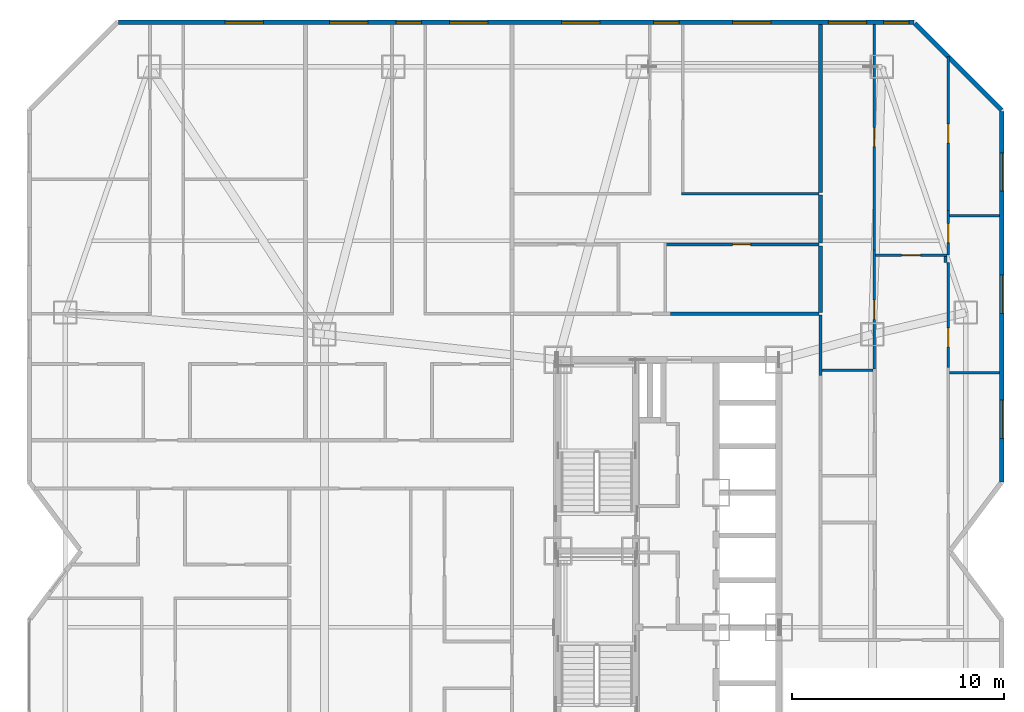
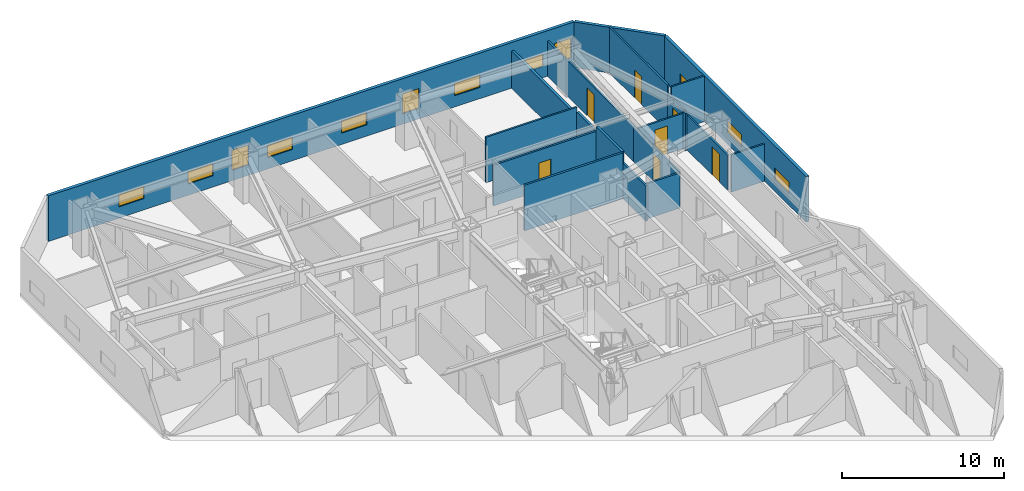
# One storey, part 16 of 18: 20 walls, 12 windows, 7 doors, 19 openings.
"""IFC4 building model written with IfcOpenShell, lengths in metres."""

import ifcopenshell
import ifcopenshell.guid

model = None  # the IFC model being written
_history = None  # IfcOwnerHistory: only IFC2X3 demands one
_inside = {}  # id of a spatial element -> (the spatial element, [elements in it])
_under = {}  # id of a project, library or spatial element -> (it, [spatial elements below it])
_declared = {}  # id of a project -> (the project, [libraries it declares])
_typed = {}  # id of a type object -> (the type object, [elements of that type])
_made_of = {}  # id of a material, layer set ... -> (it, [elements and type objects made of it])


def new_model(schema):
    """Start an empty IFC model of exactly this schema.

    Asked for "IFC4X3", IfcOpenShell would pick the latest addendum, in which some entities
    have other attributes; the version numbers below select the first issue.
    IFC2X3 requires an IfcOwnerHistory on every rooted entity: one is made here for all.
    """
    global model, _history
    if schema == "IFC4X3":
        model = ifcopenshell.file(schema_version=(4, 3, 0, 0))
    else:
        model = ifcopenshell.file(schema=schema)
    _inside.clear()
    _under.clear()
    _declared.clear()
    _typed.clear()
    _made_of.clear()
    _history = None
    if model.schema == "IFC2X3":
        org = make("IfcOrganization", Name="unknown")
        user = make(
            "IfcPersonAndOrganization",
            ThePerson=make("IfcPerson", FamilyName="unknown"),
            TheOrganization=org,
        )
        app = make(
            "IfcApplication",
            ApplicationDeveloper=org,
            Version="unknown",
            ApplicationFullName="unknown",
            ApplicationIdentifier="unknown",
        )
        _history = make(
            "IfcOwnerHistory",
            OwningUser=user,
            OwningApplication=app,
            ChangeAction="ADDED",
            CreationDate=0,
        )
    return model


def make(cls, **values):
    """One entity of the class cls with the attributes given. An attribute that is None is left unset."""
    return model.create_entity(
        cls, **{name: value for name, value in values.items() if value is not None}
    )


def rooted(cls, **values):
    """An entity with a GlobalId (a new one), such as an element, a storey or a relation."""
    return make(cls, GlobalId=ifcopenshell.guid.new(), OwnerHistory=_history, **values)


def si_unit(unit_type, name, prefix=None):
    """IfcSIUnit, for example si_unit("LENGTHUNIT", "METRE", prefix="MILLI")."""
    return make("IfcSIUnit", UnitType=unit_type, Prefix=prefix, Name=name)


def assignment(units):
    """IfcUnitAssignment: the units of a project."""
    return None if units is None else make("IfcUnitAssignment", Units=units)


def point(xyz):
    """IfcCartesianPoint."""
    return None if xyz is None else make("IfcCartesianPoint", Coordinates=xyz)


def direction(xyz):
    """IfcDirection."""
    return None if xyz is None else make("IfcDirection", DirectionRatios=xyz)


def frame(location, z_axis=None, x_axis=None):
    """IfcAxis2Placement3D, a coordinate frame: its origin and axes. An axis left out is left unset."""
    return make(
        "IfcAxis2Placement3D",
        Location=point(location),
        Axis=direction(z_axis),
        RefDirection=direction(x_axis),
    )


def frame_2d(location, x_axis=None):
    """IfcAxis2Placement2D, a coordinate frame in the plane: its origin and x axis."""
    return make(
        "IfcAxis2Placement2D", Location=point(location), RefDirection=direction(x_axis)
    )


def origin():
    """The frame at (0, 0, 0) with its axes left unset."""
    return frame((0.0, 0.0, 0.0))


def place(relative_to, where):
    """IfcLocalPlacement: puts the frame where relative to a parent placement (None: the world)."""
    return make(
        "IfcLocalPlacement", PlacementRelTo=relative_to, RelativePlacement=where
    )


def context(
    kind, dimensions, precision=None, world=None, true_north=None, identifier=None
):
    """IfcGeometricRepresentationContext, for example the 3D "Model" context."""
    return make(
        "IfcGeometricRepresentationContext",
        ContextIdentifier=identifier,
        ContextType=kind,
        CoordinateSpaceDimension=dimensions,
        Precision=precision,
        WorldCoordinateSystem=world,
        TrueNorth=true_north,
    )


def subcontext(parent, identifier, kind, view, scale=None):
    """IfcGeometricRepresentationSubContext, for example "Body" below "Model"."""
    return make(
        "IfcGeometricRepresentationSubContext",
        ContextIdentifier=identifier,
        ContextType=kind,
        ParentContext=parent,
        TargetScale=scale,
        TargetView=view,
    )


def project(units=None, contexts=None):
    """IfcProject with its units and contexts."""
    return rooted(
        "IfcProject",
        Name="project",
        RepresentationContexts=contexts,
        UnitsInContext=assignment(units),
    )


def spatial(cls, under=None, at=None, **own):
    """A site, building, storey or space (cls), placed at a placement, below another one or the project."""
    s = rooted(cls, ObjectPlacement=at, **own)
    if under is not None:
        _under.setdefault(under.id(), (under, []))[1].append(s)
    return s


def profile(cls, at=None, kind="AREA", **sizes):
    """A parametric profile (cls). Its sizes go by their IFC names, for example OverallWidth=200.0."""
    return make(cls, ProfileType=kind, Position=at, **sizes)


def rectangle(**sizes):
    """IfcRectangleProfileDef."""
    return profile("IfcRectangleProfileDef", **sizes)


def extrude(swept, where, along, depth):
    """IfcExtrudedAreaSolid: the profile swept, set in the frame where, extruded along a direction by depth."""
    return make(
        "IfcExtrudedAreaSolid",
        SweptArea=swept,
        Position=where,
        ExtrudedDirection=direction(along),
        Depth=depth,
    )


def shape(context_of_items, identifier, shape_type, items):
    """IfcShapeRepresentation: the items that make up one representation, for example the "Body"."""
    return make(
        "IfcShapeRepresentation",
        ContextOfItems=context_of_items,
        RepresentationIdentifier=identifier,
        RepresentationType=shape_type,
        Items=items,
    )


def material(Name=None, Category=None):
    """IfcMaterial."""
    return make("IfcMaterial", Name=Name, Category=Category)


def layer(
    of_material, thickness, ventilated=None, Name=None, Category=None, Priority=None
):
    """IfcMaterialLayer: one layer of a wall or slab, of a material (None: an air gap)."""
    return make(
        "IfcMaterialLayer",
        Material=of_material,
        LayerThickness=thickness,
        IsVentilated=ventilated,
        Name=Name,
        Category=Category,
        Priority=Priority,
    )


def layer_set(layers, Name=None):
    """IfcMaterialLayerSet."""
    return make("IfcMaterialLayerSet", MaterialLayers=layers, LayerSetName=Name)


def made_of(thing, what):
    """Note that an element or type object is made of a material, layer set ...; save() writes the relation."""
    if what is not None:
        _made_of.setdefault(what.id(), (what, []))[1].append(thing)
    return thing


def type_object(cls, material=None, **own):
    """A type object (cls), such as IfcWallType, which elements share."""
    return made_of(rooted(cls, **own), material)


def element(
    cls,
    number,
    at=None,
    inside=None,
    cuts=None,
    type_object=None,
    material=None,
    context=None,
    identifier="Body",
    shape_type=None,
    held_by="IfcProductDefinitionShape",
    body=None,
    shapes=None,
    **own,
):
    """One element of the class cls, such as IfcWall. Its Tag is "e" and its number.

    at: its placement. inside: the storey or other place that contains it. cuts: it is an
    opening in that element (IfcRelVoidsElement). A single representation is given by context,
    identifier, shape_type and body (its items); several are given by shapes. held_by: the class
    of the entity that holds the representations. save() writes the other relations.
    """
    e = rooted(cls, Tag="e%d" % number, ObjectPlacement=at, **own)
    if body is not None:
        shapes = [shape(context, identifier, shape_type, body)]
    if shapes is not None:
        e.Representation = make(held_by, Representations=shapes)
    if inside is not None:
        _inside.setdefault(inside.id(), (inside, []))[1].append(e)
    if cuts is not None:
        rooted(
            "IfcRelVoidsElement", RelatingBuildingElement=cuts, RelatedOpeningElement=e
        )
    if type_object is not None:
        _typed.setdefault(type_object.id(), (type_object, []))[1].append(e)
    return made_of(e, material)


def fill(opening, filler):
    """IfcRelFillsElement: the door or window that sits in an opening."""
    return rooted(
        "IfcRelFillsElement",
        RelatingOpeningElement=opening,
        RelatedBuildingElement=filler,
    )


def aggregate(whole, parts):
    """IfcRelAggregates: a whole, such as a stair, and the parts it consists of."""
    return rooted("IfcRelAggregates", RelatingObject=whole, RelatedObjects=parts)


def save(model, path):
    """Write the relations noted so far, then the file.

    IfcRelAggregates (storeys below a building ...), IfcRelContainedInSpatialStructure (elements
    in a storey), IfcRelDefinesByType, IfcRelAssociatesMaterial and IfcRelDeclares: one each for
    every whole, place, type object, material and project.
    """
    for whole, parts in _under.values():
        aggregate(whole, parts)
    for where, things in _inside.values():
        rooted(
            "IfcRelContainedInSpatialStructure",
            RelatedElements=things,
            RelatingStructure=where,
        )
    for kind, things in _typed.values():
        rooted("IfcRelDefinesByType", RelatedObjects=things, RelatingType=kind)
    for what, things in _made_of.values():
        rooted("IfcRelAssociatesMaterial", RelatedObjects=things, RelatingMaterial=what)
    for by, libraries in _declared.values():
        rooted("IfcRelDeclares", RelatingContext=by, RelatedDefinitions=libraries)
    model.write(path)


model = new_model("IFC4")

# Units and contexts
model_context = context("Model", 3, precision=1e-05, world=origin(), true_north=direction((0.0, 1.0)))
body_context = subcontext(model_context, "Body", "Model", "MODEL_VIEW")
ifc_project = project(units=[si_unit("LENGTHUNIT", "METRE"), si_unit("AREAUNIT", "SQUARE_METRE"), si_unit("VOLUMEUNIT", "CUBIC_METRE"), si_unit("PLANEANGLEUNIT", "RADIAN"), si_unit("MASSUNIT", "GRAM", prefix="KILO")], contexts=[model_context])

# Site, building, storey
site_placement = place(None, origin())
site = spatial("IfcSite", under=ifc_project, at=site_placement, CompositionType="ELEMENT")
building_placement = place(site_placement, origin())
building = spatial("IfcBuilding", under=site, at=building_placement, Name="Khamvora Tower", CompositionType="ELEMENT")
storey_placement = place(building_placement, frame((0.0, 0.0, 47.89990234375)))
storey = spatial("IfcBuildingStorey", under=building, at=storey_placement, Name="L11", CompositionType="ELEMENT", Elevation=47.89990234375)

# Walls
ifc_material_1 = material(Name="Fire-Rated Drywall and Steel Stud", Category="steel")
ifc_layer_1 = layer(ifc_material_1, 0.14990234375)
ifc_layer_set_1 = layer_set([ifc_layer_1], Name="Fire-Rated Drywall and Steel Stud")
wall_type_1 = type_object("IfcWallType", Name="WAL-CORR-150", PredefinedType="STANDARD", material=ifc_layer_set_1)
wall_1_placement = place(storey_placement, frame((34.299072265625, 39.1650390625, 0.0), z_axis=(0.0, 0.0, 1.0), x_axis=(1.0, 0.0, 0.0)))
element("IfcWall", 1, at=wall_1_placement, inside=storey, type_object=wall_type_1, Name="L11 interior partition wall 029", PredefinedType="STANDARD", context=body_context, shape_type="SweptSolid", body=[
    extrude(rectangle(XDim=7.0009765625, YDim=0.14990234375, at=frame_2d((3.50048828125, 0.0))), origin(), (0.0, 0.0, 1.0), 3.43017578125),
])
wall_2_placement = place(storey_placement, frame((41.364990234375, 39.10009765625, 0.0), z_axis=(0.0, 0.0, 1.0), x_axis=(0.0, -1.0, 0.0)))
element("IfcWall", 2, at=wall_2_placement, inside=storey, type_object=wall_type_1, Name="L11 interior partition wall 035", PredefinedType="STANDARD", context=body_context, shape_type="SweptSolid", body=[
    extrude(rectangle(XDim=2.843017578125, YDim=0.14990234375, at=frame_2d((1.42138671875, 0.0))), origin(), (0.0, 0.0, 1.0), 2.647216796875),
])
ifc_material_2 = material(Name="Acoustic Double-Stud Fire Wall", Category="gypsum")
ifc_layer_2 = layer(ifc_material_2, 0.179931640625)
ifc_layer_set_2 = layer_set([ifc_layer_2], Name="Acoustic Double-Stud Fire Wall")
wall_type_2 = type_object("IfcWallType", Name="WAL-CORR-180", PredefinedType="STANDARD", material=ifc_layer_set_2)
wall_3_placement = place(storey_placement, frame((41.364990234375, 44.7490234375, 0.0), z_axis=(0.0, 0.0, 1.0), x_axis=(0.0, -1.0, 0.0)))
element("IfcWall", 3, at=wall_3_placement, inside=storey, type_object=wall_type_2, Name="L11 interior partition wall 124", PredefinedType="STANDARD", context=body_context, shape_type="SweptSolid", body=[
    extrude(rectangle(XDim=2.25, YDim=0.179931640625, at=frame_2d((1.125, 0.0))), origin(), (0.0, 0.0, 1.0), 3.065185546875),
])
wall_4_placement = place(storey_placement, frame((41.364990234375, 42.368896484375, 0.0), z_axis=(0.0, 0.0, 1.0), x_axis=(0.0, -1.0, 0.0)))
element("IfcWall", 4, at=wall_4_placement, inside=storey, type_object=wall_type_2, Name="L11 interior partition wall 125", PredefinedType="STANDARD", context=body_context, shape_type="SweptSolid", body=[
    extrude(rectangle(XDim=3.138916015625, YDim=0.179931640625, at=frame_2d((1.5693359375, 0.0))), origin(), (0.0, 0.0, 1.0), 3.43017578125),
])
wall_5_placement = place(storey_placement, frame((41.364990234375, 52.7880859375, 0.0), z_axis=(0.0, 0.0, 1.0), x_axis=(0.0, -1.0, 0.0)))
element("IfcWall", 5, at=wall_5_placement, inside=storey, type_object=wall_type_2, Name="L11 interior partition wall 126", PredefinedType="STANDARD", context=body_context, shape_type="SweptSolid", body=[
    extrude(rectangle(XDim=7.9091796875, YDim=0.179931640625, at=frame_2d((3.95458984375, 0.0))), origin(), (0.0, 0.0, 1.0), 2.802978515625),
])

# Wall, openings, windows
ifc_material_3 = material(Name="Precast concrete C40/50", Category="concrete")
ifc_layer_3 = layer(ifc_material_3, 0.219970703125)
ifc_layer_set_3 = layer_set([ifc_layer_3], Name="Precast concrete C40/50")
wall_type_3 = type_object("IfcWallType", Name="WAL-EXT-220", PredefinedType="STANDARD", material=ifc_layer_set_3)
wall_6_placement = place(storey_placement, frame((8.31494140625, 52.889892578125, 0.0), z_axis=(0.0, 0.0, 1.0), x_axis=(1.0, 0.0, 0.0)))
wall_6 = element("IfcWall", 6, at=wall_6_placement, inside=storey, type_object=wall_type_3, Name="L11 exterior facade wall 07.1", PredefinedType="STANDARD", context=body_context, shape_type="SweptSolid", body=[
    extrude(rectangle(XDim=37.43896484375, YDim=0.219970703125, at=frame_2d((18.719482421875, 0.0))), origin(), (0.0, 0.0, 1.0), 3.43017578125),
])
opening_1_placement = place(wall_6_placement, frame((5.01806640625, 0.0, 0.85009765625)))
opening_1 = element("IfcOpeningElement", 7, at=opening_1_placement, cuts=wall_6, Name="Opening WN-09", PredefinedType="OPENING", context=body_context, shape_type="SweptSolid", body=[
    extrude(rectangle(XDim=1.800048828125, YDim=0.919921875, at=frame_2d((0.89990234375, 0.4599609375))), frame((0.0, 0.119873046875, 0.0), z_axis=(0.0, -1.0, 0.0), x_axis=(1.0, 0.0, 0.0)), (0.0, 0.0, 1.0), 0.239990234375),
])
opening_2_placement = place(wall_6_placement, frame((13.054931640625, 0.0, 0.780029296875)))
opening_2 = element("IfcOpeningElement", 8, at=opening_2_placement, cuts=wall_6, Name="Opening WN-03", PredefinedType="OPENING", context=body_context, shape_type="SweptSolid", body=[
    extrude(rectangle(XDim=1.199951171875, YDim=1.5, at=frame_2d((0.60009765625, 0.75))), frame((0.0, 0.119873046875, 0.0), z_axis=(0.0, -1.0, 0.0), x_axis=(1.0, 0.0, 0.0)), (0.0, 0.0, 1.0), 0.239990234375),
])
opening_3_placement = place(wall_6_placement, frame((9.929931640625, 0.0, 0.85009765625)))
opening_3 = element("IfcOpeningElement", 9, at=opening_3_placement, cuts=wall_6, Name="Opening WN-09", PredefinedType="OPENING", context=body_context, shape_type="SweptSolid", body=[
    extrude(rectangle(XDim=1.800048828125, YDim=0.919921875, at=frame_2d((0.89990234375, 0.4599609375))), frame((0.0, 0.119873046875, 0.0), z_axis=(0.0, -1.0, 0.0), x_axis=(1.0, 0.0, 0.0)), (0.0, 0.0, 1.0), 0.239990234375),
])
opening_4_placement = place(wall_6_placement, frame((15.580078125, 0.0, 0.85009765625)))
opening_4 = element("IfcOpeningElement", 10, at=opening_4_placement, cuts=wall_6, Name="Opening WN-09", PredefinedType="OPENING", context=body_context, shape_type="SweptSolid", body=[
    extrude(rectangle(XDim=1.800048828125, YDim=0.919921875, at=frame_2d((0.89990234375, 0.4599609375))), frame((0.0, 0.119873046875, 0.0), z_axis=(0.0, -1.0, 0.0), x_axis=(1.0, 0.0, 0.0)), (0.0, 0.0, 1.0), 0.239990234375),
])
opening_5_placement = place(wall_6_placement, frame((25.18505859375, 0.0, 0.780029296875)))
opening_5 = element("IfcOpeningElement", 11, at=opening_5_placement, cuts=wall_6, Name="Opening WN-03", PredefinedType="OPENING", context=body_context, shape_type="SweptSolid", body=[
    extrude(rectangle(XDim=1.199951171875, YDim=1.5, at=frame_2d((0.60009765625, 0.75))), frame((0.0, 0.119873046875, 0.0), z_axis=(0.0, -1.0, 0.0), x_axis=(1.0, 0.0, 0.0)), (0.0, 0.0, 1.0), 0.239990234375),
])
opening_6_placement = place(wall_6_placement, frame((20.860107421875, 0.0, 0.85009765625)))
opening_6 = element("IfcOpeningElement", 12, at=opening_6_placement, cuts=wall_6, Name="Opening WN-09", PredefinedType="OPENING", context=body_context, shape_type="SweptSolid", body=[
    extrude(rectangle(XDim=1.800048828125, YDim=0.919921875, at=frame_2d((0.89990234375, 0.4599609375))), frame((0.0, 0.119873046875, 0.0), z_axis=(0.0, -1.0, 0.0), x_axis=(1.0, 0.0, 0.0)), (0.0, 0.0, 1.0), 0.239990234375),
])
opening_7_placement = place(wall_6_placement, frame((28.909912109375, 0.0, 0.85009765625)))
opening_7 = element("IfcOpeningElement", 13, at=opening_7_placement, cuts=wall_6, Name="Opening WN-09", PredefinedType="OPENING", context=body_context, shape_type="SweptSolid", body=[
    extrude(rectangle(XDim=1.800048828125, YDim=0.919921875, at=frame_2d((0.89990234375, 0.4599609375))), frame((0.0, 0.119873046875, 0.0), z_axis=(0.0, -1.0, 0.0), x_axis=(1.0, 0.0, 0.0)), (0.0, 0.0, 1.0), 0.239990234375),
])
opening_8_placement = place(wall_6_placement, frame((33.4150390625, 0.0, 0.85009765625)))
opening_8 = element("IfcOpeningElement", 14, at=opening_8_placement, cuts=wall_6, Name="Opening WN-09", PredefinedType="OPENING", context=body_context, shape_type="SweptSolid", body=[
    extrude(rectangle(XDim=1.800048828125, YDim=0.919921875, at=frame_2d((0.89990234375, 0.4599609375))), frame((0.0, 0.119873046875, 0.0), z_axis=(0.0, -1.0, 0.0), x_axis=(1.0, 0.0, 0.0)), (0.0, 0.0, 1.0), 0.239990234375),
])
opening_9_placement = place(wall_6_placement, frame((36.01708984375, 0.0, 0.780029296875)))
opening_9 = element("IfcOpeningElement", 15, at=opening_9_placement, cuts=wall_6, Name="Opening WN-03", PredefinedType="OPENING", context=body_context, shape_type="SweptSolid", body=[
    extrude(rectangle(XDim=1.199951171875, YDim=1.5, at=frame_2d((0.60009765625, 0.75))), frame((0.0, 0.119873046875, 0.0), z_axis=(0.0, -1.0, 0.0), x_axis=(1.0, 0.0, 0.0)), (0.0, 0.0, 1.0), 0.239990234375),
])
ifc_material_4 = material(Name="Low-E Laminated Double Glazing", Category="glass")
window_type_1 = type_object("IfcWindowType", Name="WIN-CLR-1800x920", PartitioningType="SINGLE_PANEL", PredefinedType="WINDOW", material=ifc_material_4)
window_1_placement = place(opening_1_placement, origin())
window_1 = element("IfcWindow", 16, at=window_1_placement, inside=storey, type_object=window_type_1, Name="L11 vision window 07.1.01", OverallHeight=0.919921875, OverallWidth=1.800048828125, PartitioningType="SINGLE_PANEL", PredefinedType="WINDOW", context=body_context, shape_type="SweptSolid", body=[
    extrude(rectangle(XDim=1.800048828125, YDim=0.919921875, at=frame_2d((0.89990234375, 0.4599609375))), frame((0.0, 0.030029296875, 0.0), z_axis=(0.0, -1.0, 0.0), x_axis=(1.0, 0.0, 0.0)), (0.0, 0.0, 1.0), 0.06005859375),
])
fill(opening_1, window_1)
window_2_placement = place(opening_3_placement, origin())
window_2 = element("IfcWindow", 17, at=window_2_placement, inside=storey, type_object=window_type_1, Name="L11 vision window 07.1.03", OverallHeight=0.919921875, OverallWidth=1.800048828125, PartitioningType="SINGLE_PANEL", PredefinedType="WINDOW", context=body_context, shape_type="SweptSolid", body=[
    extrude(rectangle(XDim=1.800048828125, YDim=0.919921875, at=frame_2d((0.89990234375, 0.4599609375))), frame((0.0, 0.030029296875, 0.0), z_axis=(0.0, -1.0, 0.0), x_axis=(1.0, 0.0, 0.0)), (0.0, 0.0, 1.0), 0.06005859375),
])
fill(opening_3, window_2)
window_3_placement = place(opening_4_placement, origin())
window_3 = element("IfcWindow", 18, at=window_3_placement, inside=storey, type_object=window_type_1, Name="L11 vision window 07.1.04", OverallHeight=0.919921875, OverallWidth=1.800048828125, PartitioningType="SINGLE_PANEL", PredefinedType="WINDOW", context=body_context, shape_type="SweptSolid", body=[
    extrude(rectangle(XDim=1.800048828125, YDim=0.919921875, at=frame_2d((0.89990234375, 0.4599609375))), frame((0.0, 0.030029296875, 0.0), z_axis=(0.0, -1.0, 0.0), x_axis=(1.0, 0.0, 0.0)), (0.0, 0.0, 1.0), 0.06005859375),
])
fill(opening_4, window_3)
window_4_placement = place(opening_6_placement, origin())
window_4 = element("IfcWindow", 19, at=window_4_placement, inside=storey, type_object=window_type_1, Name="L11 vision window 07.1.06", OverallHeight=0.919921875, OverallWidth=1.800048828125, PartitioningType="SINGLE_PANEL", PredefinedType="WINDOW", context=body_context, shape_type="SweptSolid", body=[
    extrude(rectangle(XDim=1.800048828125, YDim=0.919921875, at=frame_2d((0.89990234375, 0.4599609375))), frame((0.0, 0.030029296875, 0.0), z_axis=(0.0, -1.0, 0.0), x_axis=(1.0, 0.0, 0.0)), (0.0, 0.0, 1.0), 0.06005859375),
])
fill(opening_6, window_4)
window_5_placement = place(opening_7_placement, origin())
window_5 = element("IfcWindow", 20, at=window_5_placement, inside=storey, type_object=window_type_1, Name="L11 vision window 07.1.07", OverallHeight=0.919921875, OverallWidth=1.800048828125, PartitioningType="SINGLE_PANEL", PredefinedType="WINDOW", context=body_context, shape_type="SweptSolid", body=[
    extrude(rectangle(XDim=1.800048828125, YDim=0.919921875, at=frame_2d((0.89990234375, 0.4599609375))), frame((0.0, 0.030029296875, 0.0), z_axis=(0.0, -1.0, 0.0), x_axis=(1.0, 0.0, 0.0)), (0.0, 0.0, 1.0), 0.06005859375),
])
fill(opening_7, window_5)
window_6_placement = place(opening_8_placement, origin())
window_6 = element("IfcWindow", 21, at=window_6_placement, inside=storey, type_object=window_type_1, Name="L11 vision window 07.1.08", OverallHeight=0.919921875, OverallWidth=1.800048828125, PartitioningType="SINGLE_PANEL", PredefinedType="WINDOW", context=body_context, shape_type="SweptSolid", body=[
    extrude(rectangle(XDim=1.800048828125, YDim=0.919921875, at=frame_2d((0.89990234375, 0.4599609375))), frame((0.0, 0.030029296875, 0.0), z_axis=(0.0, -1.0, 0.0), x_axis=(1.0, 0.0, 0.0)), (0.0, 0.0, 1.0), 0.06005859375),
])
fill(opening_8, window_6)
window_type_2 = type_object("IfcWindowType", Name="WIN-VIS-1200x1500", PartitioningType="SINGLE_PANEL", PredefinedType="WINDOW", material=ifc_material_4)
window_7_placement = place(opening_2_placement, origin())
window_7 = element("IfcWindow", 22, at=window_7_placement, inside=storey, type_object=window_type_2, Name="L11 vision window 07.1.02", OverallHeight=1.5, OverallWidth=1.199951171875, PartitioningType="SINGLE_PANEL", PredefinedType="WINDOW", context=body_context, shape_type="SweptSolid", body=[
    extrude(rectangle(XDim=1.199951171875, YDim=1.5, at=frame_2d((0.60009765625, 0.75))), frame((0.0, 0.030029296875, 0.0), z_axis=(0.0, -1.0, 0.0), x_axis=(1.0, 0.0, 0.0)), (0.0, 0.0, 1.0), 0.06005859375),
])
fill(opening_2, window_7)
window_8_placement = place(opening_5_placement, origin())
window_8 = element("IfcWindow", 23, at=window_8_placement, inside=storey, type_object=window_type_2, Name="L11 vision window 07.1.05", OverallHeight=1.5, OverallWidth=1.199951171875, PartitioningType="SINGLE_PANEL", PredefinedType="WINDOW", context=body_context, shape_type="SweptSolid", body=[
    extrude(rectangle(XDim=1.199951171875, YDim=1.5, at=frame_2d((0.60009765625, 0.75))), frame((0.0, 0.030029296875, 0.0), z_axis=(0.0, -1.0, 0.0), x_axis=(1.0, 0.0, 0.0)), (0.0, 0.0, 1.0), 0.06005859375),
])
fill(opening_5, window_8)
window_9_placement = place(opening_9_placement, origin())
window_9 = element("IfcWindow", 24, at=window_9_placement, inside=storey, type_object=window_type_2, Name="L11 vision window 07.1.09", OverallHeight=1.5, OverallWidth=1.199951171875, PartitioningType="SINGLE_PANEL", PredefinedType="WINDOW", context=body_context, shape_type="SweptSolid", body=[
    extrude(rectangle(XDim=1.199951171875, YDim=1.5, at=frame_2d((0.60009765625, 0.75))), frame((0.0, 0.030029296875, 0.0), z_axis=(0.0, -1.0, 0.0), x_axis=(1.0, 0.0, 0.0)), (0.0, 0.0, 1.0), 0.06005859375),
])
fill(opening_9, window_9)

# Wall
wall_7_placement = place(storey_placement, frame((45.802001953125, 52.842041015625, 0.0), z_axis=(0.0, 0.0, 1.0), x_axis=(0.707085666273, -0.70712789547, 0.0)))
element("IfcWall", 25, at=wall_7_placement, inside=storey, type_object=wall_type_3, Name="L11 exterior facade wall 08.1", PredefinedType="STANDARD", context=body_context, shape_type="SweptSolid", body=[
    extrude(rectangle(XDim=5.78125, YDim=0.219970703125, at=frame_2d((2.890625, 0.0))), origin(), (0.0, 0.0, 1.0), 3.43017578125),
])

# Wall, openings, windows
wall_8_placement = place(storey_placement, frame((49.889892578125, 48.68310546875, 0.0), z_axis=(0.0, 0.0, 1.0), x_axis=(0.0, -1.0, 0.0)))
wall_8 = element("IfcWall", 26, at=wall_8_placement, inside=storey, type_object=wall_type_3, Name="L11 exterior facade wall 09.1", PredefinedType="STANDARD", context=body_context, shape_type="SweptSolid", body=[
    extrude(rectangle(XDim=17.446044921875, YDim=0.219970703125, at=frame_2d((8.72314453125, 0.0))), origin(), (0.0, 0.0, 1.0), 3.43017578125),
])
opening_10_placement = place(wall_8_placement, frame((13.5791015625, 0.0, 0.85009765625)))
opening_10 = element("IfcOpeningElement", 27, at=opening_10_placement, cuts=wall_8, Name="Opening WN-09", PredefinedType="OPENING", context=body_context, shape_type="SweptSolid", body=[
    extrude(rectangle(XDim=1.800048828125, YDim=0.919921875, at=frame_2d((0.89990234375, 0.4599609375))), frame((0.0, 0.119873046875, 0.0), z_axis=(0.0, -1.0, 0.0), x_axis=(1.0, 0.0, 0.0)), (0.0, 0.0, 1.0), 0.239990234375),
])
opening_11_placement = place(wall_8_placement, frame((7.696044921875, 0.0, 0.85009765625)))
opening_11 = element("IfcOpeningElement", 28, at=opening_11_placement, cuts=wall_8, Name="Opening WN-09", PredefinedType="OPENING", context=body_context, shape_type="SweptSolid", body=[
    extrude(rectangle(XDim=1.800048828125, YDim=0.919921875, at=frame_2d((0.89990234375, 0.4599609375))), frame((0.0, 0.119873046875, 0.0), z_axis=(0.0, -1.0, 0.0), x_axis=(1.0, 0.0, 0.0)), (0.0, 0.0, 1.0), 0.239990234375),
])
opening_12_placement = place(wall_8_placement, frame((1.93994140625, 0.0, 0.85009765625)))
opening_12 = element("IfcOpeningElement", 29, at=opening_12_placement, cuts=wall_8, Name="Opening WN-09", PredefinedType="OPENING", context=body_context, shape_type="SweptSolid", body=[
    extrude(rectangle(XDim=1.800048828125, YDim=0.919921875, at=frame_2d((0.89990234375, 0.4599609375))), frame((0.0, 0.119873046875, 0.0), z_axis=(0.0, -1.0, 0.0), x_axis=(1.0, 0.0, 0.0)), (0.0, 0.0, 1.0), 0.239990234375),
])
window_10_placement = place(opening_10_placement, origin())
window_10 = element("IfcWindow", 30, at=window_10_placement, inside=storey, type_object=window_type_1, Name="L11 vision window 09.1.01", OverallHeight=0.919921875, OverallWidth=1.800048828125, PartitioningType="SINGLE_PANEL", PredefinedType="WINDOW", context=body_context, shape_type="SweptSolid", body=[
    extrude(rectangle(XDim=1.800048828125, YDim=0.919921875, at=frame_2d((0.89990234375, 0.4599609375))), frame((0.0, 0.030029296875, 0.0), z_axis=(0.0, -1.0, 0.0), x_axis=(1.0, 0.0, 0.0)), (0.0, 0.0, 1.0), 0.06005859375),
])
fill(opening_10, window_10)
window_11_placement = place(opening_11_placement, origin())
window_11 = element("IfcWindow", 31, at=window_11_placement, inside=storey, type_object=window_type_1, Name="L11 vision window 09.1.02", OverallHeight=0.919921875, OverallWidth=1.800048828125, PartitioningType="SINGLE_PANEL", PredefinedType="WINDOW", context=body_context, shape_type="SweptSolid", body=[
    extrude(rectangle(XDim=1.800048828125, YDim=0.919921875, at=frame_2d((0.89990234375, 0.4599609375))), frame((0.0, 0.030029296875, 0.0), z_axis=(0.0, -1.0, 0.0), x_axis=(1.0, 0.0, 0.0)), (0.0, 0.0, 1.0), 0.06005859375),
])
fill(opening_11, window_11)
window_12_placement = place(opening_12_placement, origin())
window_12 = element("IfcWindow", 32, at=window_12_placement, inside=storey, type_object=window_type_1, Name="L11 vision window 09.1.03", OverallHeight=0.919921875, OverallWidth=1.800048828125, PartitioningType="SINGLE_PANEL", PredefinedType="WINDOW", context=body_context, shape_type="SweptSolid", body=[
    extrude(rectangle(XDim=1.800048828125, YDim=0.919921875, at=frame_2d((0.89990234375, 0.4599609375))), frame((0.0, 0.030029296875, 0.0), z_axis=(0.0, -1.0, 0.0), x_axis=(1.0, 0.0, 0.0)), (0.0, 0.0, 1.0), 0.06005859375),
])
fill(opening_12, window_12)

# Wall
ifc_material_5 = material(Name="Gypsum Plasterboard Partition", Category="gypsum")
ifc_layer_4 = layer(ifc_material_5, 0.1201171875)
ifc_layer_set_4 = layer_set([ifc_layer_4], Name="Gypsum Plasterboard Partition")
wall_type_4 = type_object("IfcWallType", Name="WAL-PART-120", PredefinedType="PARTITIONING", material=ifc_layer_set_4)
wall_9_placement = place(storey_placement, frame((34.820068359375, 44.81396484375, 0.0), z_axis=(0.0, 0.0, 1.0), x_axis=(1.0, 0.0, 0.0)))
element("IfcWall", 33, at=wall_9_placement, inside=storey, type_object=wall_type_4, Name="L11 interior partition wall 123", PredefinedType="PARTITIONING", context=body_context, shape_type="SweptSolid", body=[
    extrude(rectangle(XDim=6.47998046875, YDim=0.1201171875, at=frame_2d((3.239990234375, 0.0))), origin(), (0.0, 0.0, 1.0), 3.43017578125),
])

# Wall, opening, door
wall_10_placement = place(storey_placement, frame((43.89501953125, 42.179931640625, 0.0), z_axis=(0.0, 0.0, 1.0), x_axis=(0.0, -1.0, 0.0)))
wall_10 = element("IfcWall", 34, at=wall_10_placement, inside=storey, type_object=wall_type_4, Name="L11 interior partition wall 135", PredefinedType="PARTITIONING", context=body_context, shape_type="SweptSolid", body=[
    extrude(rectangle(XDim=5.60888671875, YDim=0.1201171875, at=frame_2d((2.804443359375, 0.0))), origin(), (0.0, 0.0, 1.0), 2.647216796875),
])
opening_13_placement = place(wall_10_placement, frame((2.375, 0.0, 0.0)))
opening_13 = element("IfcOpeningElement", 35, at=opening_13_placement, cuts=wall_10, Name="Opening D-RM1", PredefinedType="OPENING", context=body_context, shape_type="SweptSolid", body=[
    extrude(rectangle(XDim=0.89990234375, YDim=2.10009765625, at=frame_2d((0.449951171875, 1.050048828125))), frame((0.0, 0.070068359375, 0.0), z_axis=(0.0, -1.0, 0.0), x_axis=(1.0, 0.0, 0.0)), (0.0, 0.0, 1.0), 0.14013671875),
])
ifc_material_6 = material(Name="Powder-Coated Steel and Hardwood Leaf", Category="steel")
door_type_1 = type_object("IfcDoorType", Name="DOR-ROOM-900", OperationType="NOTDEFINED", PredefinedType="DOOR", material=ifc_material_6)
door_1_placement = place(opening_13_placement, origin())
door_1 = element("IfcDoor", 36, at=door_1_placement, inside=storey, type_object=door_type_1, Name="L11 interior door 11EBW2-11EBH", OperationType="SINGLE_SWING_LEFT", OverallHeight=2.10009765625, OverallWidth=0.89990234375, PredefinedType="DOOR", context=body_context, shape_type="SweptSolid", body=[
    extrude(rectangle(XDim=0.89990234375, YDim=2.10009765625, at=frame_2d((0.449951171875, 1.050048828125))), frame((0.0, 0.02490234375, 0.0), z_axis=(0.0, -1.0, 0.0), x_axis=(1.0, 0.0, 0.0)), (0.0, 0.0, 1.0), 0.050048828125),
])
fill(opening_13, door_1)

wall_11_placement = place(storey_placement, frame((43.89501953125, 52.7880859375, 0.0), z_axis=(0.0, 0.0, 1.0), x_axis=(0.0, -1.0, 0.0)))
wall_11 = element("IfcWall", 37, at=wall_11_placement, inside=storey, type_object=wall_type_4, Name="L11 interior partition wall 136", PredefinedType="PARTITIONING", context=body_context, shape_type="SweptSolid", body=[
    extrude(rectangle(XDim=10.608154296875, YDim=0.1201171875, at=frame_2d((5.30419921875, 0.0))), origin(), (0.0, 0.0, 1.0), 2.647216796875),
])
opening_14_placement = place(wall_11_placement, frame((4.85400390625, 0.0, 0.0)))
opening_14 = element("IfcOpeningElement", 38, at=opening_14_placement, cuts=wall_11, Name="Opening D-RM1", PredefinedType="OPENING", context=body_context, shape_type="SweptSolid", body=[
    extrude(rectangle(XDim=0.89990234375, YDim=2.10009765625, at=frame_2d((0.449951171875, 1.050048828125))), frame((0.0, 0.070068359375, 0.0), z_axis=(0.0, -1.0, 0.0), x_axis=(1.0, 0.0, 0.0)), (0.0, 0.0, 1.0), 0.14013671875),
])
door_2_placement = place(opening_14_placement, origin())
door_2 = element("IfcDoor", 39, at=door_2_placement, inside=storey, type_object=door_type_1, Name="L11 interior door 11EBW2-11EBD", OperationType="SINGLE_SWING_LEFT", OverallHeight=2.10009765625, OverallWidth=0.89990234375, PredefinedType="DOOR", context=body_context, shape_type="SweptSolid", body=[
    extrude(rectangle(XDim=0.89990234375, YDim=2.10009765625, at=frame_2d((0.449951171875, 1.050048828125))), frame((0.0, 0.02490234375, 0.0), z_axis=(0.0, -1.0, 0.0), x_axis=(1.0, 0.0, 0.0)), (0.0, 0.0, 1.0), 0.050048828125),
])
fill(opening_14, door_2)

wall_12_placement = place(storey_placement, frame((43.948974609375, 41.930908203125, 0.0), z_axis=(0.0, 0.0, 1.0), x_axis=(1.0, 0.0, 0.0)))
wall_12 = element("IfcWall", 40, at=wall_12_placement, inside=storey, type_object=wall_type_4, Name="L11 interior partition wall 138", PredefinedType="PARTITIONING", context=body_context, shape_type="SweptSolid", body=[
    extrude(rectangle(XDim=3.361083984375, YDim=0.1201171875, at=frame_2d((1.6806640625, 0.0))), origin(), (0.0, 0.0, 1.0), 2.647216796875),
])
opening_15_placement = place(wall_12_placement, frame((1.23095703125, 0.0, 0.0)))
opening_15 = element("IfcOpeningElement", 41, at=opening_15_placement, cuts=wall_12, Name="Opening D-RM1", PredefinedType="OPENING", context=body_context, shape_type="SweptSolid", body=[
    extrude(rectangle(XDim=0.89990234375, YDim=2.10009765625, at=frame_2d((0.449951171875, 1.050048828125))), frame((0.0, 0.070068359375, 0.0), z_axis=(0.0, -1.0, 0.0), x_axis=(1.0, 0.0, 0.0)), (0.0, 0.0, 1.0), 0.14013671875),
])
door_3_placement = place(opening_15_placement, origin())
door_3 = element("IfcDoor", 42, at=door_3_placement, inside=storey, type_object=door_type_1, Name="L11 interior door 11EBH-11EBD", OperationType="SINGLE_SWING_RIGHT", OverallHeight=2.10009765625, OverallWidth=0.89990234375, PredefinedType="DOOR", context=body_context, shape_type="SweptSolid", body=[
    extrude(rectangle(XDim=0.89990234375, YDim=2.10009765625, at=frame_2d((0.449951171875, 1.050048828125))), frame((0.0, 0.02490234375, 0.0), z_axis=(0.0, -1.0, 0.0), x_axis=(1.0, 0.0, 0.0)), (0.0, 0.0, 1.0), 0.050048828125),
])
fill(opening_15, door_3)

# Wall
wall_13_placement = place(storey_placement, frame((47.2451171875, 41.865966796875, 0.0), z_axis=(0.0, 0.0, 1.0), x_axis=(0.0, -1.0, 0.0)))
element("IfcWall", 43, at=wall_13_placement, inside=storey, type_object=wall_type_4, Name="L11 interior partition wall 139", PredefinedType="PARTITIONING", context=body_context, shape_type="SweptSolid", body=[
    extrude(rectangle(XDim=0.27490234375, YDim=0.1201171875, at=frame_2d((0.137451171875, 0.0))), origin(), (0.0, 0.0, 1.0), 2.802978515625),
])

# Wall, opening, door
wall_14_placement = place(storey_placement, frame((47.375, 41.591064453125, 0.0), z_axis=(0.0, 0.0, 1.0), x_axis=(0.0, -1.0, 0.0)))
wall_14 = element("IfcWall", 44, at=wall_14_placement, inside=storey, type_object=wall_type_4, Name="L11 interior partition wall 145", PredefinedType="PARTITIONING", context=body_context, shape_type="SweptSolid", body=[
    extrude(rectangle(XDim=4.955078125, YDim=0.1201171875, at=frame_2d((2.4775390625, 0.0))), origin(), (0.0, 0.0, 1.0), 2.647216796875),
])
opening_16_placement = place(wall_14_placement, frame((3.0830078125, 0.0, 0.0)))
opening_16 = element("IfcOpeningElement", 45, at=opening_16_placement, cuts=wall_14, Name="Opening D-RM1", PredefinedType="OPENING", context=body_context, shape_type="SweptSolid", body=[
    extrude(rectangle(XDim=0.89990234375, YDim=2.10009765625, at=frame_2d((0.449951171875, 1.050048828125))), frame((0.0, 0.070068359375, 0.0), z_axis=(0.0, -1.0, 0.0), x_axis=(1.0, 0.0, 0.0)), (0.0, 0.0, 1.0), 0.14013671875),
])
door_4_placement = place(opening_16_placement, origin())
door_4 = element("IfcDoor", 46, at=door_4_placement, inside=storey, type_object=door_type_1, Name="L11 interior door 11EBH-11EBR2", OperationType="SINGLE_SWING_RIGHT", OverallHeight=2.10009765625, OverallWidth=0.89990234375, PredefinedType="DOOR", context=body_context, shape_type="SweptSolid", body=[
    extrude(rectangle(XDim=0.89990234375, YDim=2.10009765625, at=frame_2d((0.449951171875, 1.050048828125))), frame((0.0, 0.02490234375, 0.0), z_axis=(0.0, -1.0, 0.0), x_axis=(1.0, 0.0, 0.0)), (0.0, 0.0, 1.0), 0.050048828125),
])
fill(opening_16, door_4)

wall_15_placement = place(storey_placement, frame((47.375, 44.037109375, 0.0), z_axis=(0.0, 0.0, 1.0), x_axis=(0.0, -1.0, 0.0)))
wall_15 = element("IfcWall", 47, at=wall_15_placement, inside=storey, type_object=wall_type_4, Name="L11 interior partition wall 146", PredefinedType="PARTITIONING", context=body_context, shape_type="SweptSolid", body=[
    extrude(rectangle(XDim=2.106201171875, YDim=0.1201171875, at=frame_2d((1.05322265625, 0.0))), origin(), (0.0, 0.0, 1.0), 2.802978515625),
])
opening_17_placement = place(wall_15_placement, frame((0.625, 0.0, 0.0)))
opening_17 = element("IfcOpeningElement", 48, at=opening_17_placement, cuts=wall_15, Name="Opening D-RM1", PredefinedType="OPENING", context=body_context, shape_type="SweptSolid", body=[
    extrude(rectangle(XDim=0.89990234375, YDim=2.10009765625, at=frame_2d((0.449951171875, 1.050048828125))), frame((0.0, 0.070068359375, 0.0), z_axis=(0.0, -1.0, 0.0), x_axis=(1.0, 0.0, 0.0)), (0.0, 0.0, 1.0), 0.14013671875),
])
door_5_placement = place(opening_17_placement, origin())
door_5 = element("IfcDoor", 49, at=door_5_placement, inside=storey, type_object=door_type_1, Name="L11 interior door 11EBD-11EBR2", OperationType="SINGLE_SWING_LEFT", OverallHeight=2.10009765625, OverallWidth=0.89990234375, PredefinedType="DOOR", context=body_context, shape_type="SweptSolid", body=[
    extrude(rectangle(XDim=0.89990234375, YDim=2.10009765625, at=frame_2d((0.449951171875, 1.050048828125))), frame((0.0, 0.02490234375, 0.0), z_axis=(0.0, -1.0, 0.0), x_axis=(1.0, 0.0, 0.0)), (0.0, 0.0, 1.0), 0.050048828125),
])
fill(opening_17, door_5)

wall_16_placement = place(storey_placement, frame((47.375, 51.278076171875, 0.0), z_axis=(0.0, 0.0, 1.0), x_axis=(0.0, -1.0, 0.0)))
wall_16 = element("IfcWall", 50, at=wall_16_placement, inside=storey, type_object=wall_type_4, Name="L11 interior partition wall 147", PredefinedType="PARTITIONING", context=body_context, shape_type="SweptSolid", body=[
    extrude(rectangle(XDim=7.240966796875, YDim=0.1201171875, at=frame_2d((3.62060546875, 0.0))), origin(), (0.0, 0.0, 1.0), 3.43017578125),
])
opening_18_placement = place(wall_16_placement, frame((3.169921875, 0.0, 0.0)))
opening_18 = element("IfcOpeningElement", 51, at=opening_18_placement, cuts=wall_16, Name="Opening D-RM1", PredefinedType="OPENING", context=body_context, shape_type="SweptSolid", body=[
    extrude(rectangle(XDim=0.89990234375, YDim=2.10009765625, at=frame_2d((0.449951171875, 1.050048828125))), frame((0.0, 0.070068359375, 0.0), z_axis=(0.0, -1.0, 0.0), x_axis=(1.0, 0.0, 0.0)), (0.0, 0.0, 1.0), 0.14013671875),
])
door_6_placement = place(opening_18_placement, origin())
door_6 = element("IfcDoor", 52, at=door_6_placement, inside=storey, type_object=door_type_1, Name="L11 interior door 11EBD-11EBR3", OperationType="SINGLE_SWING_RIGHT", OverallHeight=2.10009765625, OverallWidth=0.89990234375, PredefinedType="DOOR", context=body_context, shape_type="SweptSolid", body=[
    extrude(rectangle(XDim=0.89990234375, YDim=2.10009765625, at=frame_2d((0.449951171875, 1.050048828125))), frame((0.0, 0.02490234375, 0.0), z_axis=(0.0, -1.0, 0.0), x_axis=(1.0, 0.0, 0.0)), (0.0, 0.0, 1.0), 0.050048828125),
])
fill(opening_18, door_6)

# Walls
wall_17_placement = place(storey_placement, frame((47.428955078125, 36.386962890625, 0.0), z_axis=(0.0, 0.0, 1.0), x_axis=(1.0, 0.0, 0.0)))
element("IfcWall", 53, at=wall_17_placement, inside=storey, type_object=wall_type_4, Name="L11 interior partition wall 148", PredefinedType="PARTITIONING", context=body_context, shape_type="SweptSolid", body=[
    extrude(rectangle(XDim=2.359130859375, YDim=0.1201171875, at=frame_2d((1.1796875, 0.0))), origin(), (0.0, 0.0, 1.0), 2.802978515625),
])
wall_18_placement = place(storey_placement, frame((47.428955078125, 43.787109375, 0.0), z_axis=(0.0, 0.0, 1.0), x_axis=(1.0, 0.0, 0.0)))
element("IfcWall", 54, at=wall_18_placement, inside=storey, type_object=wall_type_4, Name="L11 interior partition wall 149", PredefinedType="PARTITIONING", context=body_context, shape_type="SweptSolid", body=[
    extrude(rectangle(XDim=2.359130859375, YDim=0.1201171875, at=frame_2d((1.1796875, 0.0))), origin(), (0.0, 0.0, 1.0), 3.43017578125),
])

# Wall, opening, door
ifc_material_7 = material(Name="Moisture-Resistant Plasterboard Partition", Category="gypsum")
ifc_layer_5 = layer(ifc_material_7, 0.135009765625)
ifc_layer_set_5 = layer_set([ifc_layer_5], Name="Moisture-Resistant Plasterboard Partition")
wall_type_5 = type_object("IfcWallType", Name="WAL-WET-135", PredefinedType="PARTITIONING", material=ifc_layer_set_5)
wall_19_placement = place(storey_placement, frame((41.300048828125, 42.43408203125, 0.0), z_axis=(0.0, 0.0, 1.0), x_axis=(-1.0, 0.0, 0.0)))
wall_19 = element("IfcWall", 55, at=wall_19_placement, inside=storey, type_object=wall_type_5, Name="L11 interior partition wall 118", PredefinedType="PARTITIONING", context=body_context, shape_type="SweptSolid", body=[
    extrude(rectangle(XDim=7.31494140625, YDim=0.135009765625, at=frame_2d((3.657470703125, 0.0))), origin(), (0.0, 0.0, 1.0), 3.065185546875),
])
opening_19_placement = place(wall_19_placement, frame((3.23291015625, 0.0, 0.0)))
opening_19 = element("IfcOpeningElement", 56, at=opening_19_placement, cuts=wall_19, Name="Opening D-RM2", PredefinedType="OPENING", context=body_context, shape_type="SweptSolid", body=[
    extrude(rectangle(XDim=0.85009765625, YDim=2.10009765625, at=frame_2d((0.425048828125, 1.050048828125))), frame((0.0, 0.077392578125, 0.0), z_axis=(0.0, -1.0, 0.0), x_axis=(1.0, 0.0, 0.0)), (0.0, 0.0, 1.0), 0.155029296875),
])
door_type_2 = type_object("IfcDoorType", Name="DOR-ROOM-850", OperationType="NOTDEFINED", PredefinedType="DOOR", material=ifc_material_6)
door_7_placement = place(opening_19_placement, origin())
door_7 = element("IfcDoor", 57, at=door_7_placement, inside=storey, type_object=door_type_2, Name="L11 interior door 11NAH-11NAK", OperationType="SINGLE_SWING_LEFT", OverallHeight=2.10009765625, OverallWidth=0.85009765625, PredefinedType="DOOR", context=body_context, shape_type="SweptSolid", body=[
    extrude(rectangle(XDim=0.85009765625, YDim=2.10009765625, at=frame_2d((0.425048828125, 1.050048828125))), frame((0.0, 0.02490234375, 0.0), z_axis=(0.0, -1.0, 0.0), x_axis=(1.0, 0.0, 0.0)), (0.0, 0.0, 1.0), 0.050048828125),
])
fill(opening_19, door_7)

# Wall
wall_20_placement = place(storey_placement, frame((43.830078125, 36.506103515625, 0.0), z_axis=(0.0, 0.0, 1.0), x_axis=(-1.0, 0.0, 0.0)))
element("IfcWall", 58, at=wall_20_placement, inside=storey, type_object=wall_type_5, Name="L11 interior partition wall 137", PredefinedType="PARTITIONING", context=body_context, shape_type="SweptSolid", body=[
    extrude(rectangle(XDim=2.398193359375, YDim=0.135009765625, at=frame_2d((1.19921875, 0.0))), origin(), (0.0, 0.0, 1.0), 2.647216796875),
])

save(model, "model.ifc")
